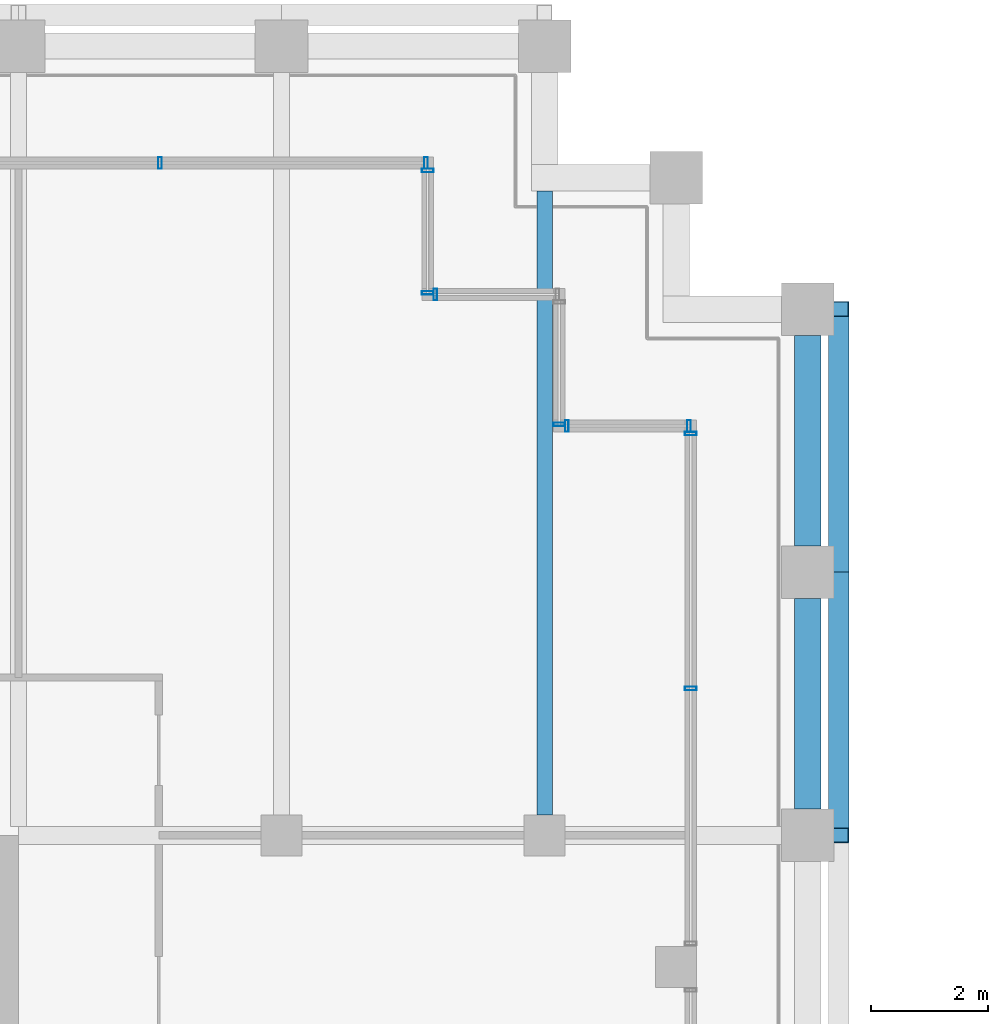
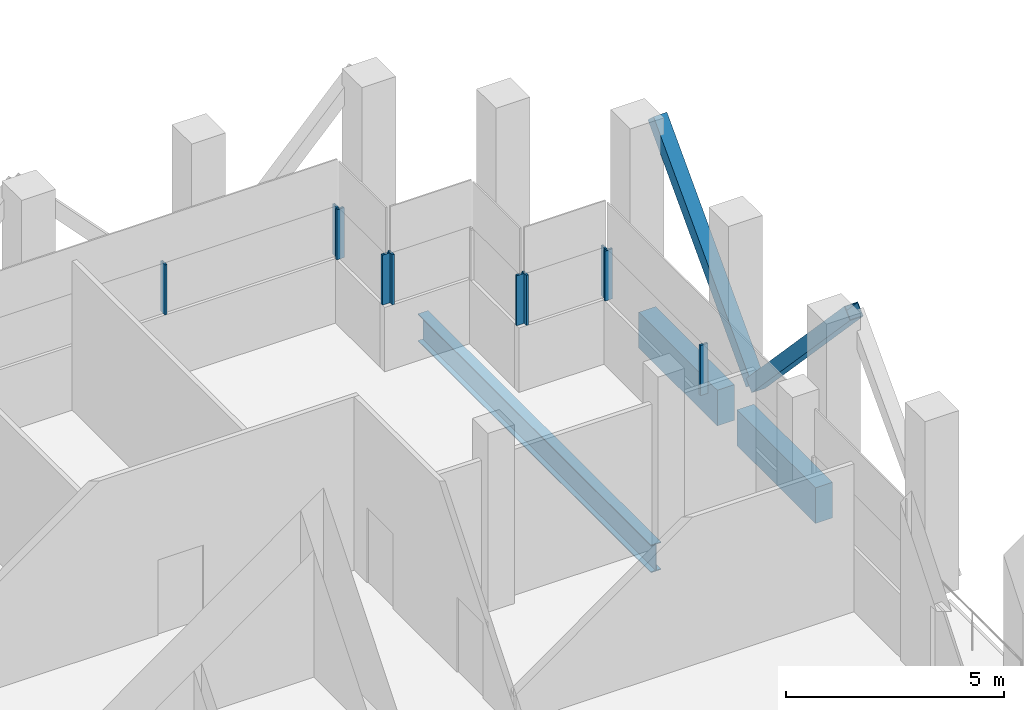
# One storey, part 19 of 34: 12 members, 3 beams, 6 elements without a shape of their own.
"""IFC4 building model written with IfcOpenShell, lengths in metres."""

from ifc_helpers import new_model, si_unit, direction, frame, origin, origin_2d, place, context, subcontext, project, spatial, rectangle, hollow_rectangle, i_section, extrude, material, material_profile, profile_set, type_object, element, aggregate, save


model = new_model("IFC4")

# Units and contexts
model_context = context("Model", 3, precision=1e-05, world=origin(), true_north=direction((0.0, 1.0)))
body_context = subcontext(model_context, "Body", "Model", "MODEL_VIEW")
ifc_project = project(units=[si_unit("LENGTHUNIT", "METRE"), si_unit("AREAUNIT", "SQUARE_METRE"), si_unit("VOLUMEUNIT", "CUBIC_METRE"), si_unit("PLANEANGLEUNIT", "RADIAN"), si_unit("MASSUNIT", "GRAM", prefix="KILO")], contexts=[model_context])

# Site, building, storey
site_placement = place(None, origin())
site = spatial("IfcSite", under=ifc_project, at=site_placement, CompositionType="ELEMENT")
building_placement = place(site_placement, origin())
building = spatial("IfcBuilding", under=site, at=building_placement, Name="Altepetl Exchange Towers", CompositionType="ELEMENT")
storey_placement = place(building_placement, frame((0.0, 0.0, 190.60009765625)))
storey = spatial("IfcBuildingStorey", under=building, at=storey_placement, Name="L48 Refuge", CompositionType="ELEMENT", Elevation=190.60009765625)

# Members
ifc_material_1 = material(Name="Steel S355", Category="steel")
ifc_material_profile_1 = material_profile(ifc_material_1, hollow_rectangle(XDim=0.35595703125, YDim=0.35595703125, WallThickness=0.014892578125, at=origin_2d()), Name="HSS356X356X15.9")
ifc_profile_set_1 = profile_set([ifc_material_profile_1], Name="Steel S355")
member_type_1 = type_object("IfcMemberType", Name="Belt diagonal HSS356X356X15.9", PredefinedType="BRACE", material=ifc_profile_set_1)
for number, where, z_axis, x_axis, name in (
    (1, (72.530029296875, 58.5, 4.75), (0.0, 0.687744647911, -0.725952683906), (-1.0, 0.0, 0.0), "brc:A:L48:011"),
    (2, (72.530029296875, 63.0, 0.0), (0.0, 0.687744647911, 0.725952683906), (-1.0, 0.0, 0.0), "brc:A:L48:012"),
):
    element("IfcMember", number, at=place(storey_placement, frame(where, z_axis=z_axis, x_axis=x_axis)), inside=storey, type_object=member_type_1, Name=name, PredefinedType="BRACE", context=body_context, shape_type="SweptSolid", body=[
        extrude(hollow_rectangle(XDim=0.35595703125, YDim=0.35595703125, WallThickness=0.014892578125, at=origin_2d()), origin(), (0.0, 0.0, 1.0), 6.543212890625),
    ])

# Beam
ifc_material_profile_2 = material_profile(ifc_material_1, i_section(OverallWidth=0.26806640625, OverallDepth=0.77392578125, WebThickness=0.015380859375, FlangeThickness=0.025390625, at=origin_2d()), Name="W30X132")
ifc_profile_set_2 = profile_set([ifc_material_profile_2], Name="Steel S355")
beam_type_1 = type_object("IfcBeamType", Name="Floor beam W30X132", PredefinedType="BEAM", material=ifc_profile_set_2)
beam_placement = place(storey_placement, frame((67.5, 58.85009765625, -0.587158203125), z_axis=(0.0, 1.0, 0.0), x_axis=(-1.0, 0.0, 0.0)))
element("IfcBeam", 3, at=beam_placement, inside=storey, type_object=beam_type_1, Name="bm:A:L48:005", PredefinedType="BEAM", context=body_context, shape_type="SweptSolid", body=[
    extrude(i_section(OverallWidth=0.26806640625, OverallDepth=0.77392578125, WebThickness=0.015380859375, FlangeThickness=0.025390625, at=origin_2d()), origin(), (0.0, 0.0, 1.0), 10.6748046875),
])

# Curtain wall, members
ifc_material_2 = material(Name="Aluminium 6063-T6 glazing", Category="aluminium")
curtain_wall_type = type_object("IfcCurtainWallType", Name="Refuge slit glazing system", PredefinedType="NOTDEFINED", material=ifc_material_2)
curtain_wall_1_placement = place(storey_placement, origin())
curtain_wall_1 = element("IfcCurtainWall", 4, at=curtain_wall_1_placement, inside=storey, type_object=curtain_wall_type, Name="CW3 run", PredefinedType="NOTDEFINED")
ifc_material_3 = material(Name="Aluminium 6063-T6", Category="aluminium")
ifc_material_profile_3 = material_profile(ifc_material_3, hollow_rectangle(XDim=0.06005859375, YDim=0.199951171875, WallThickness=0.0029296875, at=origin_2d()), Name="Mullion 60x200 aluminium")
ifc_profile_set_3 = profile_set([ifc_material_profile_3], Name="Aluminium 6063-T6")
member_type_2 = type_object("IfcMemberType", Name="Mullion 60x200 aluminium", PredefinedType="MULLION", material=ifc_profile_set_3)
member_1_placement = place(storey_placement, frame((70.0, 61.010009765625, 1.7998046875), z_axis=(0.0, 0.0, 1.0), x_axis=(0.0, 1.0, 0.0)))
member_1 = element("IfcMember", 5, at=member_1_placement, type_object=member_type_2, Name="MU2 mullion", PredefinedType="MULLION", context=body_context, shape_type="SweptSolid", body=[
    extrude(hollow_rectangle(XDim=0.06005859375, YDim=0.199951171875, WallThickness=0.0029296875, at=origin_2d()), origin(), (0.0, 0.0, 1.0), 1.400146484375),
])
member_2_placement = place(storey_placement, frame((70.0, 65.3701171875, 1.7998046875), z_axis=(0.0, 0.0, 1.0), x_axis=(0.0, 1.0, 0.0)))
member_2 = element("IfcMember", 6, at=member_2_placement, type_object=member_type_2, Name="MU2 mullion", PredefinedType="MULLION", context=body_context, shape_type="SweptSolid", body=[
    extrude(hollow_rectangle(XDim=0.06005859375, YDim=0.199951171875, WallThickness=0.0029296875, at=origin_2d()), origin(), (0.0, 0.0, 1.0), 1.400146484375),
])
aggregate(curtain_wall_1, [member_1, member_2])

curtain_wall_2_placement = place(storey_placement, origin())
curtain_wall_2 = element("IfcCurtainWall", 7, at=curtain_wall_2_placement, inside=storey, type_object=curtain_wall_type, Name="CW3 run", PredefinedType="NOTDEFINED")
member_3_placement = place(storey_placement, frame((69.969970703125, 65.5, 1.7998046875), z_axis=(0.0, 0.0, 1.0), x_axis=(-1.0, 0.0, 0.0)))
member_3 = element("IfcMember", 8, at=member_3_placement, type_object=member_type_2, Name="MU2 mullion", PredefinedType="MULLION", context=body_context, shape_type="SweptSolid", body=[
    extrude(hollow_rectangle(XDim=0.06005859375, YDim=0.199951171875, WallThickness=0.0029296875, at=origin_2d()), origin(), (0.0, 0.0, 1.0), 1.400146484375),
])
member_4_placement = place(storey_placement, frame((67.8798828125, 65.5, 1.7998046875), z_axis=(0.0, 0.0, 1.0), x_axis=(-1.0, 0.0, 0.0)))
member_4 = element("IfcMember", 9, at=member_4_placement, type_object=member_type_2, Name="MU2 mullion", PredefinedType="MULLION", context=body_context, shape_type="SweptSolid", body=[
    extrude(hollow_rectangle(XDim=0.06005859375, YDim=0.199951171875, WallThickness=0.0029296875, at=origin_2d()), origin(), (0.0, 0.0, 1.0), 1.400146484375),
])
aggregate(curtain_wall_2, [member_3, member_4])

# Curtain wall, member
curtain_wall_3_placement = place(storey_placement, origin())
curtain_wall_3 = element("IfcCurtainWall", 10, at=curtain_wall_3_placement, inside=storey, type_object=curtain_wall_type, Name="CW3 run", PredefinedType="NOTDEFINED")
member_5_placement = place(storey_placement, frame((67.75, 65.530029296875, 1.7998046875), z_axis=(0.0, 0.0, 1.0), x_axis=(0.0, 1.0, 0.0)))
member_5 = element("IfcMember", 11, at=member_5_placement, type_object=member_type_2, Name="MU2 mullion", PredefinedType="MULLION", context=body_context, shape_type="SweptSolid", body=[
    extrude(hollow_rectangle(XDim=0.06005859375, YDim=0.199951171875, WallThickness=0.0029296875, at=origin_2d()), origin(), (0.0, 0.0, 1.0), 1.400146484375),
])
aggregate(curtain_wall_3, [member_5])

curtain_wall_4_placement = place(storey_placement, origin())
curtain_wall_4 = element("IfcCurtainWall", 12, at=curtain_wall_4_placement, inside=storey, type_object=curtain_wall_type, Name="CW3 run", PredefinedType="NOTDEFINED")
member_6_placement = place(storey_placement, frame((65.6298828125, 67.75, 1.7998046875), z_axis=(0.0, 0.0, 1.0), x_axis=(-1.0, 0.0, 0.0)))
member_6 = element("IfcMember", 13, at=member_6_placement, type_object=member_type_2, Name="MU2 mullion", PredefinedType="MULLION", context=body_context, shape_type="SweptSolid", body=[
    extrude(hollow_rectangle(XDim=0.06005859375, YDim=0.199951171875, WallThickness=0.0029296875, at=origin_2d()), origin(), (0.0, 0.0, 1.0), 1.400146484375),
])
aggregate(curtain_wall_4, [member_6])

# Curtain wall, members
curtain_wall_5_placement = place(storey_placement, origin())
curtain_wall_5 = element("IfcCurtainWall", 14, at=curtain_wall_5_placement, inside=storey, type_object=curtain_wall_type, Name="CW3 run", PredefinedType="NOTDEFINED")
member_7_placement = place(storey_placement, frame((65.5, 67.780029296875, 1.7998046875), z_axis=(0.0, 0.0, 1.0), x_axis=(0.0, 1.0, 0.0)))
member_7 = element("IfcMember", 15, at=member_7_placement, type_object=member_type_2, Name="MU2 mullion", PredefinedType="MULLION", context=body_context, shape_type="SweptSolid", body=[
    extrude(hollow_rectangle(XDim=0.06005859375, YDim=0.199951171875, WallThickness=0.0029296875, at=origin_2d()), origin(), (0.0, 0.0, 1.0), 1.400146484375),
])
member_8_placement = place(storey_placement, frame((65.5, 69.8701171875, 1.7998046875), z_axis=(0.0, 0.0, 1.0), x_axis=(0.0, 1.0, 0.0)))
member_8 = element("IfcMember", 16, at=member_8_placement, type_object=member_type_2, Name="MU2 mullion", PredefinedType="MULLION", context=body_context, shape_type="SweptSolid", body=[
    extrude(hollow_rectangle(XDim=0.06005859375, YDim=0.199951171875, WallThickness=0.0029296875, at=origin_2d()), origin(), (0.0, 0.0, 1.0), 1.400146484375),
])
aggregate(curtain_wall_5, [member_7, member_8])

curtain_wall_6_placement = place(storey_placement, origin())
curtain_wall_6 = element("IfcCurtainWall", 17, at=curtain_wall_6_placement, inside=storey, type_object=curtain_wall_type, Name="CW3 run", PredefinedType="NOTDEFINED")
member_9_placement = place(storey_placement, frame((65.469970703125, 70.0, 1.7998046875), z_axis=(0.0, 0.0, 1.0), x_axis=(-1.0, 0.0, 0.0)))
member_9 = element("IfcMember", 18, at=member_9_placement, type_object=member_type_2, Name="MU2 mullion", PredefinedType="MULLION", context=body_context, shape_type="SweptSolid", body=[
    extrude(hollow_rectangle(XDim=0.06005859375, YDim=0.199951171875, WallThickness=0.0029296875, at=origin_2d()), origin(), (0.0, 0.0, 1.0), 1.400146484375),
])
member_10_placement = place(storey_placement, frame((60.919921875, 70.0, 1.7998046875), z_axis=(0.0, 0.0, 1.0), x_axis=(-1.0, 0.0, 0.0)))
member_10 = element("IfcMember", 19, at=member_10_placement, type_object=member_type_2, Name="MU2 mullion", PredefinedType="MULLION", context=body_context, shape_type="SweptSolid", body=[
    extrude(hollow_rectangle(XDim=0.06005859375, YDim=0.199951171875, WallThickness=0.0029296875, at=origin_2d()), origin(), (0.0, 0.0, 1.0), 1.400146484375),
])
aggregate(curtain_wall_6, [member_9, member_10])

# Beams
ifc_material_4 = material(Name="Concrete C50/60 precast with cantera rosa facing", Category="concrete")
ifc_material_profile_4 = material_profile(ifc_material_4, rectangle(XDim=0.449951171875, YDim=1.0, at=origin_2d()), Name="450 x 1000")
ifc_profile_set_4 = profile_set([ifc_material_profile_4], Name="Concrete C50/60 precast with cantera rosa facing")
beam_type_2 = type_object("IfcBeamType", Name="Spandrel beam 450x1000 cantera rosa", PredefinedType="SPANDREL", material=ifc_profile_set_4)
for number, where, z_axis, x_axis, name in (
    (20, (72.0, 58.949951171875, -0.7001953125), (0.0, 1.0, 0.0), (-1.0, 0.0, 0.0), "sp:A:L48:018"),
    (21, (72.0, 63.449951171875, -0.7001953125), (0.0, 1.0, 0.0), (-1.0, 0.0, 0.0), "sp:A:L48:019"),
):
    element("IfcBeam", number, at=place(storey_placement, frame(where, z_axis=z_axis, x_axis=x_axis)), inside=storey, type_object=beam_type_2, Name=name, PredefinedType="SPANDREL", context=body_context, shape_type="SweptSolid", body=[
        extrude(rectangle(XDim=0.449951171875, YDim=1.0, at=origin_2d()), origin(), (0.0, 0.0, 1.0), 3.60009765625),
    ])

save(model, "model.ifc")
